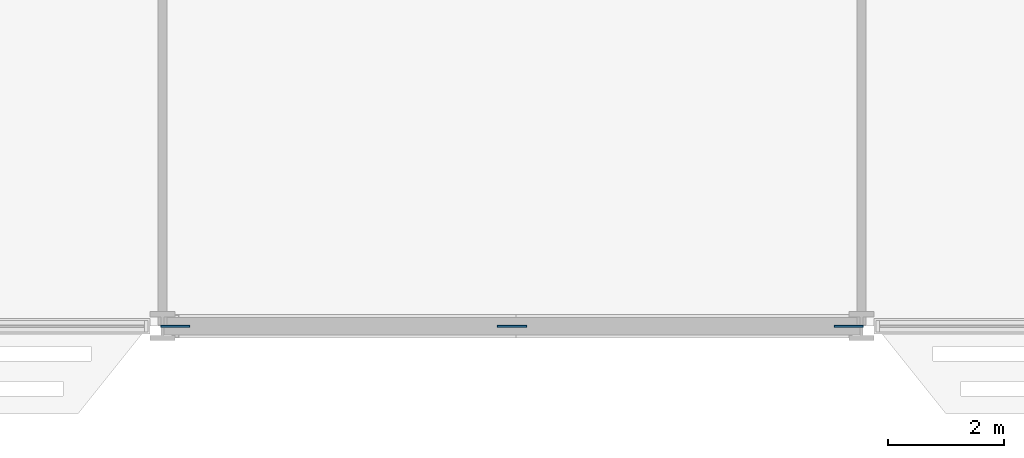
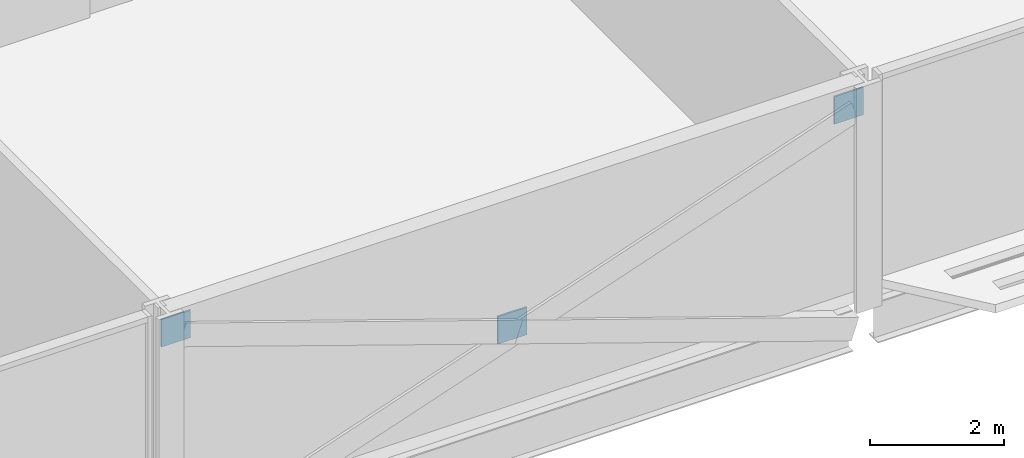
# One storey, part 17 of 29: 3 discrete accessories.
"""IFC4 building model written with IfcOpenShell, lengths in metres."""

from ifc_helpers import new_model, si_unit, direction, frame, origin, origin_2d, place, context, subcontext, project, spatial, rectangle, extrude, material, layer, layer_set, type_object, element, save


model = new_model("IFC4")

# Units and contexts
model_context = context("Model", 3, precision=1e-05, world=origin(), true_north=direction((0.0, 1.0)))
body_context = subcontext(model_context, "Body", "Model", "MODEL_VIEW")
ifc_project = project(units=[si_unit("LENGTHUNIT", "METRE"), si_unit("AREAUNIT", "SQUARE_METRE"), si_unit("VOLUMEUNIT", "CUBIC_METRE"), si_unit("PLANEANGLEUNIT", "RADIAN"), si_unit("MASSUNIT", "GRAM", prefix="KILO")], contexts=[model_context])

# Site, building, storey
site_placement = place(None, origin())
site = spatial("IfcSite", under=ifc_project, at=site_placement, CompositionType="ELEMENT")
building_placement = place(site_placement, origin())
building = spatial("IfcBuilding", under=site, at=building_placement, Name="Mahtab Terrace Research Tower", CompositionType="ELEMENT")
storey_placement = place(building_placement, frame((0.0, 0.0, 37.300048828125)))
storey = spatial("IfcBuildingStorey", under=building, at=storey_placement, Name="L08", CompositionType="ELEMENT", Elevation=37.300048828125)

# Discrete accessories
ifc_material = material(Name="Steel ASTM A992 Gr 50", Category="steel")
ifc_layer = layer(ifc_material, 0.030029296875)
ifc_layer_set = layer_set([ifc_layer], Name="Gusset plate 500x500x30")
discrete_accessory_type = type_object("IfcDiscreteAccessoryType", Name="Gusset plate 500x500x30", PredefinedType="USERDEFINED", material=ifc_layer_set)
for number, where, z_axis, x_axis, name in (
    (1, (-5.7841796875, -23.0, 3.0478515625), (0.0, 0.0, 1.0), (1.0, 0.0, 0.0), "Gusset plate"),
    (2, (0.0, -23.0, 1.076416015625), (0.0, 0.0, 1.0), (1.0, 0.0, 0.0), "Gusset plate"),
    (3, (5.7841796875, -23.0, 3.0478515625), (0.0, 0.0, 1.0), (1.0, 0.0, 0.0), "Gusset plate"),
):
    element("IfcDiscreteAccessory", number, at=place(storey_placement, frame(where, z_axis=z_axis, x_axis=x_axis)), inside=storey, type_object=discrete_accessory_type, Name=name, ObjectType="GUSSET PLATE", PredefinedType="USERDEFINED", context=body_context, shape_type="SweptSolid", body=[
        extrude(rectangle(XDim=0.5, YDim=0.030029296875, at=origin_2d()), origin(), (0.0, 0.0, 1.0), 0.5),
    ])

save(model, "model.ifc")
